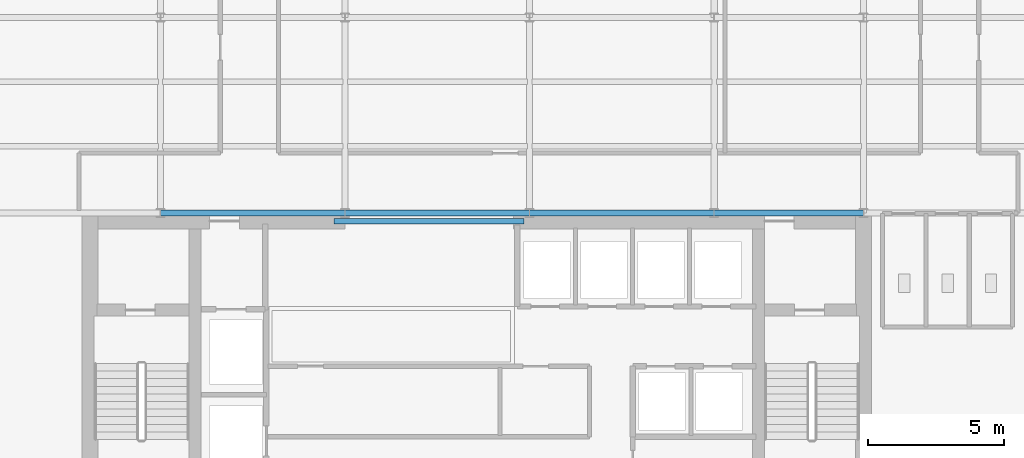
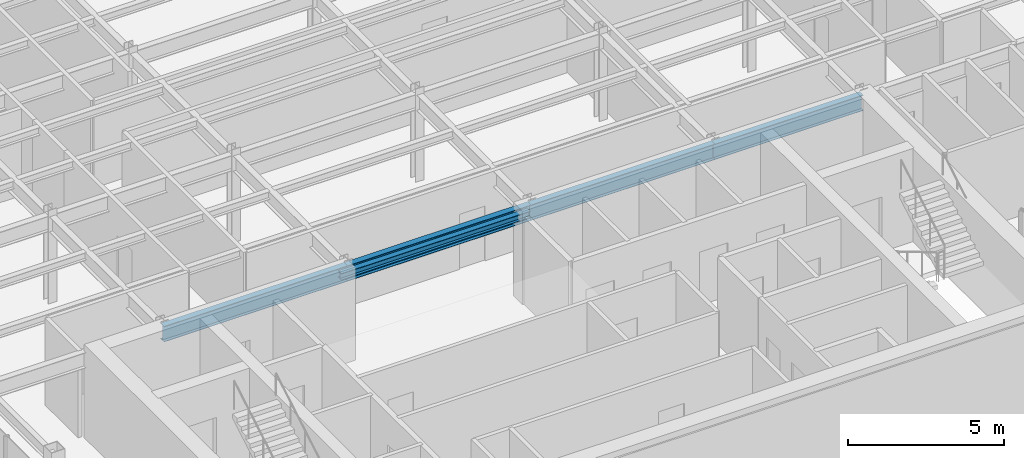
# One storey, part 4 of 22: 5 beams.
"""IFC4 building model written with IfcOpenShell, lengths in metres."""

from ifc_helpers import new_model, si_unit, derived_unit, direction, frame, origin, origin_2d, place, context, subcontext, project, spatial, i_section, extrude, source, transform, mapped, material, material_profile, profile_set, type_object, element, save


model = new_model("IFC4")

# Units and contexts
model_context = context("Model", 3, precision=1e-05, world=origin(), true_north=direction((0.0, 1.0)))
body_context = subcontext(model_context, "Body", "Model", "MODEL_VIEW")
ifc_project = project(units=[si_unit("LENGTHUNIT", "METRE"), si_unit("AREAUNIT", "SQUARE_METRE"), si_unit("VOLUMEUNIT", "CUBIC_METRE"), si_unit("PLANEANGLEUNIT", "RADIAN"), si_unit("MASSUNIT", "GRAM", prefix="KILO"), derived_unit("THERMALTRANSMITTANCEUNIT", [(si_unit("POWERUNIT", "WATT"), 1), (si_unit("LENGTHUNIT", "METRE"), -2), (si_unit("THERMODYNAMICTEMPERATUREUNIT", "KELVIN"), -1)])], contexts=[model_context])

# Site, building, storey
site_placement = place(None, origin())
site = spatial("IfcSite", under=ifc_project, at=site_placement, CompositionType="ELEMENT")
building_placement = place(site_placement, origin())
building = spatial("IfcBuilding", under=site, at=building_placement, Name="Skarnbrae Concourse Arena and Tower", CompositionType="ELEMENT")
storey_placement = place(building_placement, frame((0.0, 0.0, 244.199951171875)))
storey = spatial("IfcBuildingStorey", under=building, at=storey_placement, Name="L63", CompositionType="ELEMENT", Elevation=244.199951171875)

# Beams
ifc_material = material(Name="Steel CSA G40.21 350W", Category="steel")
ifc_material_profile_1 = material_profile(ifc_material, i_section(OverallWidth=0.202880859375, OverallDepth=0.251953125, WebThickness=0.008056640625, FlangeThickness=0.013427734375, at=origin_2d()), Name="W250X58")
ifc_profile_set_1 = profile_set([ifc_material_profile_1], Name="Steel CSA G40.21 350W")
beam_type_1 = type_object("IfcBeamType", Name="BM-LINTEL-W250X58", PredefinedType="LINTEL", material=ifc_profile_set_1)
shared_shape_1 = source(origin(), body_context, "Body", "SweptSolid", [
    extrude(i_section(OverallWidth=0.202880859375, OverallDepth=0.251953125, WebThickness=0.008056640625, FlangeThickness=0.013427734375, at=origin_2d()), origin(), (0.0, 0.0, 1.0), 7.0),
])
beam_1_placement = place(storey_placement, frame((14.0, 13.699951171875, 3.274169921875), z_axis=(1.0, 0.0, 0.0), x_axis=(0.0, 1.0, 0.0)))
element("IfcBeam", 1, at=beam_1_placement, inside=storey, type_object=beam_type_1, Name="L63 Core portal coupling lintel", PredefinedType="LINTEL", context=body_context, shape_type="MappedRepresentation", body=[
    mapped(shared_shape_1, transform((0.0, 0.0, 0.0))),
])
ifc_material_profile_2 = material_profile(ifc_material, i_section(OverallWidth=0.22802734375, OverallDepth=0.60791015625, WebThickness=0.01123046875, FlangeThickness=0.017333984375, at=origin_2d()), Name="W610X113")
ifc_profile_set_2 = profile_set([ifc_material_profile_2], Name="Steel CSA G40.21 350W")
beam_type_2 = type_object("IfcBeamType", Name="BM-GIRD-W610X113", PredefinedType="BEAM", material=ifc_profile_set_2)
shared_shape_2 = source(origin(), body_context, "Body", "SweptSolid", [
    extrude(i_section(OverallWidth=0.22802734375, OverallDepth=0.60791015625, WebThickness=0.01123046875, FlangeThickness=0.017333984375, at=origin_2d()), origin(), (0.0, 0.0, 1.0), 6.7998046875),
])
beam_2_placement = place(storey_placement, frame((7.60009765625, 14.0, 3.095947265625), z_axis=(1.0, 0.0, 0.0), x_axis=(0.0, 1.0, 0.0)))
element("IfcBeam", 2, at=beam_2_placement, inside=storey, type_object=beam_type_2, Name="L63 Primary E-W girder Y14.0-2", PredefinedType="BEAM", context=body_context, shape_type="MappedRepresentation", body=[
    mapped(shared_shape_2, transform((0.0, 0.0, 0.0))),
])
shared_shape_3 = source(origin(), body_context, "Body", "SweptSolid", [
    extrude(i_section(OverallWidth=0.22802734375, OverallDepth=0.60791015625, WebThickness=0.01123046875, FlangeThickness=0.017333984375, at=origin_2d()), origin(), (0.0, 0.0, 1.0), 6.800048828125),
])
for number, where, z_axis, x_axis, name in (
    (3, (14.39990234375, 14.0, 3.095947265625), (1.0, 0.0, 0.0), (0.0, 1.0, 0.0), "L63 Primary E-W girder Y14.0-3"),
    (4, (21.199951171875, 14.0, 3.095947265625), (1.0, 0.0, 0.0), (0.0, 1.0, 0.0), "L63 Primary E-W girder Y14.0-4"),
):
    element("IfcBeam", number, at=place(storey_placement, frame(where, z_axis=z_axis, x_axis=x_axis)), inside=storey, type_object=beam_type_2, Name=name, PredefinedType="BEAM", context=body_context, shape_type="MappedRepresentation", body=[
        mapped(shared_shape_3, transform((0.0, 0.0, 0.0))),
    ])
shared_shape_4 = source(origin(), body_context, "Body", "SweptSolid", [
    extrude(i_section(OverallWidth=0.22802734375, OverallDepth=0.60791015625, WebThickness=0.01123046875, FlangeThickness=0.017333984375, at=origin_2d()), origin(), (0.0, 0.0, 1.0), 5.5),
])
beam_3_placement = place(storey_placement, frame((28.0, 14.0, 3.095947265625), z_axis=(1.0, 0.0, 0.0), x_axis=(0.0, 1.0, 0.0)))
element("IfcBeam", 5, at=beam_3_placement, inside=storey, type_object=beam_type_2, Name="L63 Primary E-W girder Y14.0-5", PredefinedType="BEAM", context=body_context, shape_type="MappedRepresentation", body=[
    mapped(shared_shape_4, transform((0.0, 0.0, 0.0))),
])

save(model, "model.ifc")
